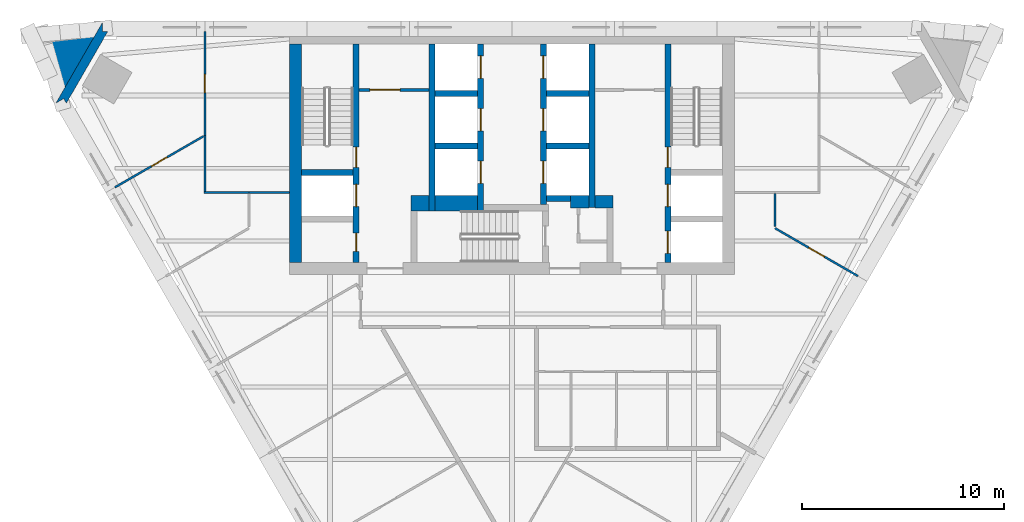
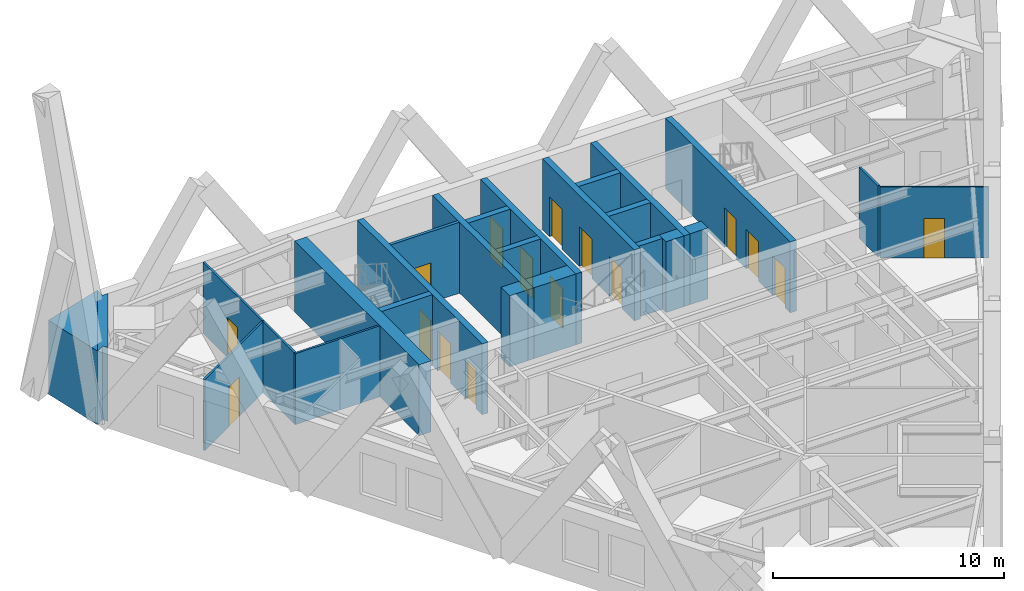
# One storey, part 5 of 8: 27 walls, 16 doors, 16 openings.
"""IFC4 building model written with IfcOpenShell, lengths in metres."""

from ifc_helpers import new_model, si_unit, direction, frame, frame_2d, origin, place, context, subcontext, project, spatial, polyline, rectangle, outline, extrude, material, layer, layer_set, type_object, element, fill, save


model = new_model("IFC4")

# Units and contexts
model_context = context("Model", 3, precision=1e-05, world=origin(), true_north=direction((0.0, 1.0)))
body_context = subcontext(model_context, "Body", "Model", "MODEL_VIEW")
ifc_project = project(units=[si_unit("LENGTHUNIT", "METRE"), si_unit("AREAUNIT", "SQUARE_METRE"), si_unit("VOLUMEUNIT", "CUBIC_METRE"), si_unit("PLANEANGLEUNIT", "RADIAN"), si_unit("MASSUNIT", "GRAM", prefix="KILO")], contexts=[model_context])

# Site, building, storey
site_placement = place(None, origin())
site = spatial("IfcSite", under=ifc_project, at=site_placement, CompositionType="ELEMENT")
building_placement = place(site_placement, origin())
building = spatial("IfcBuilding", under=site, at=building_placement, Name="Aloe Facet Convention Tower", CompositionType="ELEMENT")
storey_placement = place(building_placement, frame((0.0, 0.0, 159.800048828125)))
storey = spatial("IfcBuildingStorey", under=building, at=storey_placement, Name="L40", CompositionType="ELEMENT", Elevation=159.800048828125)

# Wall, opening, door
ifc_material_1 = material(Name="Concrete blockwork partition", Category="masonry")
ifc_layer_1 = layer(ifc_material_1, 0.14990234375)
ifc_layer_set_1 = layer_set([ifc_layer_1], Name="CR-W-PART150")
wall_type_1 = type_object("IfcWallType", Name="CR-W-PART150", PredefinedType="PARTITIONING", material=ifc_layer_set_1)
wall_1_placement = place(storey_placement, frame((72.449951171875, 131.675048828125, 0.0), z_axis=(0.0, 0.0, 1.0), x_axis=(1.0, 0.0, 0.0)))
wall_1 = element("IfcWall", 1, at=wall_1_placement, inside=storey, type_object=wall_type_1, Name="Core partition L40-007", PredefinedType="PARTITIONING", context=body_context, shape_type="SweptSolid", body=[
    extrude(rectangle(XDim=3.449951171875, YDim=0.14990234375, at=frame_2d((1.72509765625, 0.0))), origin(), (0.0, 0.0, 1.0), 3.75),
])
opening_1_placement = place(wall_1_placement, frame((0.52490234375, 0.0, 0.0)))
opening_1 = element("IfcOpeningElement", 2, at=opening_1_placement, cuts=wall_1, Name="Opening L40-CD14", PredefinedType="OPENING", context=body_context, shape_type="SweptSolid", body=[
    extrude(rectangle(XDim=1.5, YDim=2.10009765625, at=frame_2d((0.75, 1.050048828125))), frame((0.0, 0.0849609375, 0.0), z_axis=(0.0, -1.0, 0.0), x_axis=(1.0, 0.0, 0.0)), (0.0, 0.0, 1.0), 0.169921875),
])
ifc_material_2 = material(Name="Steel fire-resisting door set FD60", Category="steel")
door_type_1 = type_object("IfcDoorType", Name="CR-D-REFUGE-1500-FD60-DD", OperationType="DOUBLE_DOOR_DOUBLE_SWING", PredefinedType="DOOR", material=ifc_material_2)
door_1_placement = place(opening_1_placement, origin())
door_1 = element("IfcDoor", 3, at=door_1_placement, inside=storey, type_object=door_type_1, Name="Core door L40-CD14", OperationType="DOUBLE_DOOR_DOUBLE_SWING", OverallHeight=2.10009765625, OverallWidth=1.5, PredefinedType="DOOR", context=body_context, shape_type="SweptSolid", body=[
    extrude(rectangle(XDim=1.5, YDim=2.10009765625, at=frame_2d((0.75, 1.050048828125))), frame((0.0, 0.02490234375, 0.0), z_axis=(0.0, -1.0, 0.0), x_axis=(1.0, 0.0, 0.0)), (0.0, 0.0, 1.0), 0.050048828125),
])
fill(opening_1, door_1)

# Wall
ifc_material_3 = material(Name="Concrete C60/75", Category="concrete")
ifc_layer_2 = layer(ifc_material_3, 0.300048828125)
ifc_layer_set_2 = layer_set([ifc_layer_2], Name="CR-W-RC300-C6075")
wall_type_2 = type_object("IfcWallType", Name="CR-W-RC300-C6075", PredefinedType="SOLIDWALL", material=ifc_layer_set_2)
wall_2_placement = place(storey_placement, frame((69.60009765625, 127.60009765625, 0.0), z_axis=(0.0, 0.0, 1.0), x_axis=(1.0, 0.0, 0.0)))
element("IfcWall", 4, at=wall_2_placement, inside=storey, type_object=wall_type_2, Name="Core wall L40-004", PredefinedType="SOLIDWALL", context=body_context, shape_type="SweptSolid", body=[
    extrude(rectangle(XDim=2.5498046875, YDim=0.300048828125, at=frame_2d((1.27490234375, 0.0))), origin(), (0.0, 0.0, 1.0), 3.75),
])

# Wall, openings, doors
wall_3_placement = place(storey_placement, frame((72.300048828125, 133.949951171875, 0.0), z_axis=(0.0, 0.0, 1.0), x_axis=(0.0, -1.0, 0.0)))
wall_3 = element("IfcWall", 5, at=wall_3_placement, inside=storey, type_object=wall_type_2, Name="Core wall L40-006", PredefinedType="SOLIDWALL", context=body_context, shape_type="SweptSolid", body=[
    extrude(rectangle(XDim=10.800048828125, YDim=0.300048828125, at=frame_2d((5.39990234375, 0.0))), origin(), (0.0, 0.0, 1.0), 3.75),
])
opening_2_placement = place(wall_3_placement, frame((6.949951171875, 0.0, 0.0)))
opening_2 = element("IfcOpeningElement", 6, at=opening_2_placement, cuts=wall_3, Name="Opening LD-FF1-L40", PredefinedType="OPENING", context=body_context, shape_type="SweptSolid", body=[
    extrude(rectangle(XDim=1.10009765625, YDim=2.10009765625, at=frame_2d((0.550048828125, 1.050048828125))), frame((0.0, 0.16015625, 0.0), z_axis=(0.0, -1.0, 0.0), x_axis=(1.0, 0.0, 0.0)), (0.0, 0.0, 1.0), 0.320068359375),
])
opening_3_placement = place(wall_3_placement, frame((9.35009765625, 0.0, 0.0)))
opening_3 = element("IfcOpeningElement", 7, at=opening_3_placement, cuts=wall_3, Name="Opening L40-CD15", PredefinedType="OPENING", context=body_context, shape_type="SweptSolid", body=[
    extrude(rectangle(XDim=0.89990234375, YDim=2.10009765625, at=frame_2d((0.449951171875, 1.050048828125))), frame((0.0, 0.16015625, 0.0), z_axis=(0.0, -1.0, 0.0), x_axis=(1.0, 0.0, 0.0)), (0.0, 0.0, 1.0), 0.320068359375),
])
opening_4_placement = place(wall_3_placement, frame((5.10009765625, 0.0, 0.0)))
opening_4 = element("IfcOpeningElement", 8, at=opening_4_placement, cuts=wall_3, Name="Opening L40-CD16", PredefinedType="OPENING", context=body_context, shape_type="SweptSolid", body=[
    extrude(rectangle(XDim=1.0, YDim=2.10009765625, at=frame_2d((0.5, 1.050048828125))), frame((0.0, 0.16015625, 0.0), z_axis=(0.0, -1.0, 0.0), x_axis=(1.0, 0.0, 0.0)), (0.0, 0.0, 1.0), 0.320068359375),
])
ifc_material_4 = material(Name="Steel fire-resisting door set FD60", Category="steel")
door_type_2 = type_object("IfcDoorType", Name="CR-D-ROOM-900-FD60-SLEFT", OperationType="SINGLE_SWING_LEFT", PredefinedType="DOOR", material=ifc_material_4)
door_2_placement = place(opening_3_placement, origin())
door_2 = element("IfcDoor", 9, at=door_2_placement, inside=storey, type_object=door_type_2, Name="Core door L40-CD15", OperationType="SINGLE_SWING_LEFT", OverallHeight=2.10009765625, OverallWidth=0.89990234375, PredefinedType="DOOR", context=body_context, shape_type="SweptSolid", body=[
    extrude(rectangle(XDim=0.89990234375, YDim=2.10009765625, at=frame_2d((0.449951171875, 1.050048828125))), frame((0.0, 0.02490234375, 0.0), z_axis=(0.0, -1.0, 0.0), x_axis=(1.0, 0.0, 0.0)), (0.0, 0.0, 1.0), 0.050048828125),
])
fill(opening_3, door_2)
ifc_material_5 = material(Name="Steel fire-resisting door set FD120", Category="steel")
door_type_3 = type_object("IfcDoorType", Name="CR-D-STAIR-1000-FD120-SRIGHT", OperationType="SINGLE_SWING_RIGHT", PredefinedType="DOOR", material=ifc_material_5)
door_3_placement = place(opening_4_placement, origin())
door_3 = element("IfcDoor", 10, at=door_3_placement, inside=storey, type_object=door_type_3, Name="Core door L40-CD16", OperationType="SINGLE_SWING_RIGHT", OverallHeight=2.10009765625, OverallWidth=1.0, PredefinedType="DOOR", context=body_context, shape_type="SweptSolid", body=[
    extrude(rectangle(XDim=1.0, YDim=2.10009765625, at=frame_2d((0.5, 1.050048828125))), frame((0.0, 0.02490234375, 0.0), z_axis=(0.0, -1.0, 0.0), x_axis=(1.0, 0.0, 0.0)), (0.0, 0.0, 1.0), 0.050048828125),
])
fill(opening_4, door_3)
ifc_material_6 = material(Name="Stainless steel sliding landing door", Category="steel")
door_type_4 = type_object("IfcDoorType", Name="CR-LD-1100-FD120-_LEFT", OperationType="SLIDING_TO_LEFT", PredefinedType="DOOR", material=ifc_material_6)
door_4_placement = place(opening_2_placement, origin())
door_4 = element("IfcDoor", 11, at=door_4_placement, inside=storey, type_object=door_type_4, Name="Landing door FF1 L40", OperationType="SLIDING_TO_LEFT", OverallHeight=2.10009765625, OverallWidth=1.10009765625, PredefinedType="DOOR", context=body_context, shape_type="SweptSolid", body=[
    extrude(rectangle(XDim=1.10009765625, YDim=2.10009765625, at=frame_2d((0.550048828125, 1.050048828125))), frame((0.0, 0.02490234375, 0.0), z_axis=(0.0, -1.0, 0.0), x_axis=(1.0, 0.0, 0.0)), (0.0, 0.0, 1.0), 0.050048828125),
])
fill(opening_2, door_4)

# Walls
wall_4_placement = place(storey_placement, frame((76.050048828125, 133.949951171875, 0.0), z_axis=(0.0, 0.0, 1.0), x_axis=(0.0, -1.0, 0.0)))
element("IfcWall", 12, at=wall_4_placement, inside=storey, type_object=wall_type_2, Name="Core wall L40-010", PredefinedType="SOLIDWALL", context=body_context, shape_type="SweptSolid", body=[
    extrude(rectangle(XDim=8.25, YDim=0.300048828125, at=frame_2d((4.125, 0.0))), origin(), (0.0, 0.0, 1.0), 3.75),
])
for number, where, z_axis, x_axis, name in (
    (13, (76.199951171875, 131.5, 0.0), (0.0, 0.0, 1.0), (1.0, 0.0, 0.0), "Core wall L40-011"),
    (14, (76.199951171875, 128.89990234375, 0.0), (0.0, 0.0, 1.0), (1.0, 0.0, 0.0), "Core wall L40-012"),
):
    element("IfcWall", number, at=place(storey_placement, frame(where, z_axis=z_axis, x_axis=x_axis)), inside=storey, type_object=wall_type_2, Name=name, PredefinedType="SOLIDWALL", context=body_context, shape_type="SweptSolid", body=[
        extrude(rectangle(XDim=2.10009765625, YDim=0.300048828125, at=frame_2d((1.050048828125, 0.0))), origin(), (0.0, 0.0, 1.0), 3.75),
    ])

# Wall, openings, doors
wall_5_placement = place(storey_placement, frame((78.449951171875, 133.949951171875, 0.0), z_axis=(0.0, 0.0, 1.0), x_axis=(0.0, -1.0, 0.0)))
wall_5 = element("IfcWall", 15, at=wall_5_placement, inside=storey, type_object=wall_type_2, Name="Core wall L40-014", PredefinedType="SOLIDWALL", context=body_context, shape_type="SweptSolid", body=[
    extrude(rectangle(XDim=8.25, YDim=0.300048828125, at=frame_2d((4.125, 0.0))), origin(), (0.0, 0.0, 1.0), 3.75),
])
opening_5_placement = place(wall_5_placement, frame((0.60009765625, 0.0, 0.0)))
opening_5 = element("IfcOpeningElement", 16, at=opening_5_placement, cuts=wall_5, Name="Opening LD-B1-L40", PredefinedType="OPENING", context=body_context, shape_type="SweptSolid", body=[
    extrude(rectangle(XDim=1.10009765625, YDim=2.10009765625, at=frame_2d((0.550048828125, 1.050048828125))), frame((0.0, 0.16015625, 0.0), z_axis=(0.0, -1.0, 0.0), x_axis=(1.0, 0.0, 0.0)), (0.0, 0.0, 1.0), 0.320068359375),
])
opening_6_placement = place(wall_5_placement, frame((3.199951171875, 0.0, 0.0)))
opening_6 = element("IfcOpeningElement", 17, at=opening_6_placement, cuts=wall_5, Name="Opening LD-B2-L40", PredefinedType="OPENING", context=body_context, shape_type="SweptSolid", body=[
    extrude(rectangle(XDim=1.10009765625, YDim=2.10009765625, at=frame_2d((0.550048828125, 1.050048828125))), frame((0.0, 0.16015625, 0.0), z_axis=(0.0, -1.0, 0.0), x_axis=(1.0, 0.0, 0.0)), (0.0, 0.0, 1.0), 0.320068359375),
])
opening_7_placement = place(wall_5_placement, frame((5.800048828125, 0.0, 0.0)))
opening_7 = element("IfcOpeningElement", 18, at=opening_7_placement, cuts=wall_5, Name="Opening LD-B3-L40", PredefinedType="OPENING", context=body_context, shape_type="SweptSolid", body=[
    extrude(rectangle(XDim=1.10009765625, YDim=2.10009765625, at=frame_2d((0.550048828125, 1.050048828125))), frame((0.0, 0.16015625, 0.0), z_axis=(0.0, -1.0, 0.0), x_axis=(1.0, 0.0, 0.0)), (0.0, 0.0, 1.0), 0.320068359375),
])
ifc_material_7 = material(Name="Stainless steel sliding landing door", Category="steel")
door_type_5 = type_object("IfcDoorType", Name="CR-LD-1100-FD60-RIGHT", OperationType="SLIDING_TO_RIGHT", PredefinedType="DOOR", material=ifc_material_7)
door_5_placement = place(opening_5_placement, origin())
door_5 = element("IfcDoor", 19, at=door_5_placement, inside=storey, type_object=door_type_5, Name="Landing door B1 L40", OperationType="SLIDING_TO_RIGHT", OverallHeight=2.10009765625, OverallWidth=1.10009765625, PredefinedType="DOOR", context=body_context, shape_type="SweptSolid", body=[
    extrude(rectangle(XDim=1.10009765625, YDim=2.10009765625, at=frame_2d((0.550048828125, 1.050048828125))), frame((0.0, 0.02490234375, 0.0), z_axis=(0.0, -1.0, 0.0), x_axis=(1.0, 0.0, 0.0)), (0.0, 0.0, 1.0), 0.050048828125),
])
fill(opening_5, door_5)
door_6_placement = place(opening_6_placement, origin())
door_6 = element("IfcDoor", 20, at=door_6_placement, inside=storey, type_object=door_type_5, Name="Landing door B2 L40", OperationType="SLIDING_TO_RIGHT", OverallHeight=2.10009765625, OverallWidth=1.10009765625, PredefinedType="DOOR", context=body_context, shape_type="SweptSolid", body=[
    extrude(rectangle(XDim=1.10009765625, YDim=2.10009765625, at=frame_2d((0.550048828125, 1.050048828125))), frame((0.0, 0.02490234375, 0.0), z_axis=(0.0, -1.0, 0.0), x_axis=(1.0, 0.0, 0.0)), (0.0, 0.0, 1.0), 0.050048828125),
])
fill(opening_6, door_6)
door_7_placement = place(opening_7_placement, origin())
door_7 = element("IfcDoor", 21, at=door_7_placement, inside=storey, type_object=door_type_5, Name="Landing door B3 L40", OperationType="SLIDING_TO_RIGHT", OverallHeight=2.10009765625, OverallWidth=1.10009765625, PredefinedType="DOOR", context=body_context, shape_type="SweptSolid", body=[
    extrude(rectangle(XDim=1.10009765625, YDim=2.10009765625, at=frame_2d((0.550048828125, 1.050048828125))), frame((0.0, 0.02490234375, 0.0), z_axis=(0.0, -1.0, 0.0), x_axis=(1.0, 0.0, 0.0)), (0.0, 0.0, 1.0), 0.050048828125),
])
fill(opening_7, door_7)

wall_6_placement = place(storey_placement, frame((81.550048828125, 133.949951171875, 0.0), z_axis=(0.0, 0.0, 1.0), x_axis=(0.0, -1.0, 0.0)))
wall_6 = element("IfcWall", 22, at=wall_6_placement, inside=storey, type_object=wall_type_2, Name="Core wall L40-016", PredefinedType="SOLIDWALL", context=body_context, shape_type="SweptSolid", body=[
    extrude(rectangle(XDim=7.949951171875, YDim=0.300048828125, at=frame_2d((3.97509765625, 0.0))), origin(), (0.0, 0.0, 1.0), 3.75),
])
opening_8_placement = place(wall_6_placement, frame((0.60009765625, 0.0, 0.0)))
opening_8 = element("IfcOpeningElement", 23, at=opening_8_placement, cuts=wall_6, Name="Opening LD-B4-L40", PredefinedType="OPENING", context=body_context, shape_type="SweptSolid", body=[
    extrude(rectangle(XDim=1.10009765625, YDim=2.10009765625, at=frame_2d((0.550048828125, 1.050048828125))), frame((0.0, 0.16015625, 0.0), z_axis=(0.0, -1.0, 0.0), x_axis=(1.0, 0.0, 0.0)), (0.0, 0.0, 1.0), 0.320068359375),
])
opening_9_placement = place(wall_6_placement, frame((3.199951171875, 0.0, 0.0)))
opening_9 = element("IfcOpeningElement", 24, at=opening_9_placement, cuts=wall_6, Name="Opening LD-B5-L40", PredefinedType="OPENING", context=body_context, shape_type="SweptSolid", body=[
    extrude(rectangle(XDim=1.10009765625, YDim=2.10009765625, at=frame_2d((0.550048828125, 1.050048828125))), frame((0.0, 0.16015625, 0.0), z_axis=(0.0, -1.0, 0.0), x_axis=(1.0, 0.0, 0.0)), (0.0, 0.0, 1.0), 0.320068359375),
])
opening_10_placement = place(wall_6_placement, frame((5.800048828125, 0.0, 0.0)))
opening_10 = element("IfcOpeningElement", 25, at=opening_10_placement, cuts=wall_6, Name="Opening LD-B6-L40", PredefinedType="OPENING", context=body_context, shape_type="SweptSolid", body=[
    extrude(rectangle(XDim=1.10009765625, YDim=2.10009765625, at=frame_2d((0.550048828125, 1.050048828125))), frame((0.0, 0.16015625, 0.0), z_axis=(0.0, -1.0, 0.0), x_axis=(1.0, 0.0, 0.0)), (0.0, 0.0, 1.0), 0.320068359375),
])
ifc_material_8 = material(Name="Stainless steel sliding landing door", Category="steel")
door_type_6 = type_object("IfcDoorType", Name="CR-LD-1100-FD60-_LEFT", OperationType="SLIDING_TO_LEFT", PredefinedType="DOOR", material=ifc_material_8)
door_8_placement = place(opening_8_placement, origin())
door_8 = element("IfcDoor", 26, at=door_8_placement, inside=storey, type_object=door_type_6, Name="Landing door B4 L40", OperationType="SLIDING_TO_LEFT", OverallHeight=2.10009765625, OverallWidth=1.10009765625, PredefinedType="DOOR", context=body_context, shape_type="SweptSolid", body=[
    extrude(rectangle(XDim=1.10009765625, YDim=2.10009765625, at=frame_2d((0.550048828125, 1.050048828125))), frame((0.0, 0.02490234375, 0.0), z_axis=(0.0, -1.0, 0.0), x_axis=(1.0, 0.0, 0.0)), (0.0, 0.0, 1.0), 0.050048828125),
])
fill(opening_8, door_8)
door_9_placement = place(opening_9_placement, origin())
door_9 = element("IfcDoor", 27, at=door_9_placement, inside=storey, type_object=door_type_6, Name="Landing door B5 L40", OperationType="SLIDING_TO_LEFT", OverallHeight=2.10009765625, OverallWidth=1.10009765625, PredefinedType="DOOR", context=body_context, shape_type="SweptSolid", body=[
    extrude(rectangle(XDim=1.10009765625, YDim=2.10009765625, at=frame_2d((0.550048828125, 1.050048828125))), frame((0.0, 0.02490234375, 0.0), z_axis=(0.0, -1.0, 0.0), x_axis=(1.0, 0.0, 0.0)), (0.0, 0.0, 1.0), 0.050048828125),
])
fill(opening_9, door_9)
door_10_placement = place(opening_10_placement, origin())
door_10 = element("IfcDoor", 28, at=door_10_placement, inside=storey, type_object=door_type_6, Name="Landing door B6 L40", OperationType="SLIDING_TO_LEFT", OverallHeight=2.10009765625, OverallWidth=1.10009765625, PredefinedType="DOOR", context=body_context, shape_type="SweptSolid", body=[
    extrude(rectangle(XDim=1.10009765625, YDim=2.10009765625, at=frame_2d((0.550048828125, 1.050048828125))), frame((0.0, 0.02490234375, 0.0), z_axis=(0.0, -1.0, 0.0), x_axis=(1.0, 0.0, 0.0)), (0.0, 0.0, 1.0), 0.050048828125),
])
fill(opening_10, door_10)

# Walls
for number, where, z_axis, x_axis, name in (
    (29, (81.699951171875, 131.5, 0.0), (0.0, 0.0, 1.0), (1.0, 0.0, 0.0), "Core wall L40-018"),
    (30, (81.699951171875, 128.89990234375, 0.0), (0.0, 0.0, 1.0), (1.0, 0.0, 0.0), "Core wall L40-019"),
):
    element("IfcWall", number, at=place(storey_placement, frame(where, z_axis=z_axis, x_axis=x_axis)), inside=storey, type_object=wall_type_2, Name=name, PredefinedType="SOLIDWALL", context=body_context, shape_type="SweptSolid", body=[
        extrude(rectangle(XDim=2.10009765625, YDim=0.300048828125, at=frame_2d((1.050048828125, 0.0))), origin(), (0.0, 0.0, 1.0), 3.75),
    ])
wall_7_placement = place(storey_placement, frame((81.699951171875, 126.300048828125, 0.0), z_axis=(0.0, 0.0, 1.0), x_axis=(1.0, 0.0, 0.0)))
element("IfcWall", 31, at=wall_7_placement, inside=storey, type_object=wall_type_2, Name="Core wall L40-020", PredefinedType="SOLIDWALL", context=body_context, shape_type="SweptSolid", body=[
    extrude(rectangle(XDim=1.199951171875, YDim=0.300048828125, at=frame_2d((0.60009765625, 0.0))), origin(), (0.0, 0.0, 1.0), 3.75),
])
wall_8_placement = place(storey_placement, frame((83.949951171875, 133.949951171875, 0.0), z_axis=(0.0, 0.0, 1.0), x_axis=(0.0, -1.0, 0.0)))
element("IfcWall", 32, at=wall_8_placement, inside=storey, type_object=wall_type_2, Name="Core wall L40-024", PredefinedType="SOLIDWALL", context=body_context, shape_type="SweptSolid", body=[
    extrude(rectangle(XDim=8.099853515625, YDim=0.300048828125, at=frame_2d((4.0498046875, 0.0))), origin(), (0.0, 0.0, 1.0), 3.75),
])

# Wall, openings, doors
wall_9_placement = place(storey_placement, frame((87.699951171875, 133.949951171875, 0.0), z_axis=(0.0, 0.0, 1.0), x_axis=(0.0, -1.0, 0.0)))
wall_9 = element("IfcWall", 33, at=wall_9_placement, inside=storey, type_object=wall_type_2, Name="Core wall L40-028", PredefinedType="SOLIDWALL", context=body_context, shape_type="SweptSolid", body=[
    extrude(rectangle(XDim=10.800048828125, YDim=0.300048828125, at=frame_2d((5.39990234375, 0.0))), origin(), (0.0, 0.0, 1.0), 3.75),
])
opening_11_placement = place(wall_9_placement, frame((6.949951171875, 0.0, 0.0)))
opening_11 = element("IfcOpeningElement", 34, at=opening_11_placement, cuts=wall_9, Name="Opening LD-FF2-L40", PredefinedType="OPENING", context=body_context, shape_type="SweptSolid", body=[
    extrude(rectangle(XDim=1.10009765625, YDim=2.10009765625, at=frame_2d((0.550048828125, 1.050048828125))), frame((0.0, 0.16015625, 0.0), z_axis=(0.0, -1.0, 0.0), x_axis=(1.0, 0.0, 0.0)), (0.0, 0.0, 1.0), 0.320068359375),
])
opening_12_placement = place(wall_9_placement, frame((5.10009765625, 0.0, 0.0)))
opening_12 = element("IfcOpeningElement", 35, at=opening_12_placement, cuts=wall_9, Name="Opening L40-CD17", PredefinedType="OPENING", context=body_context, shape_type="SweptSolid", body=[
    extrude(rectangle(XDim=1.0, YDim=2.10009765625, at=frame_2d((0.5, 1.050048828125))), frame((0.0, 0.16015625, 0.0), z_axis=(0.0, -1.0, 0.0), x_axis=(1.0, 0.0, 0.0)), (0.0, 0.0, 1.0), 0.320068359375),
])
opening_13_placement = place(wall_9_placement, frame((9.25, 0.0, 0.0)))
opening_13 = element("IfcOpeningElement", 36, at=opening_13_placement, cuts=wall_9, Name="Opening LD-SV1-L40", PredefinedType="OPENING", context=body_context, shape_type="SweptSolid", body=[
    extrude(rectangle(XDim=1.10009765625, YDim=2.10009765625, at=frame_2d((0.550048828125, 1.050048828125))), frame((0.0, 0.16015625, 0.0), z_axis=(0.0, -1.0, 0.0), x_axis=(1.0, 0.0, 0.0)), (0.0, 0.0, 1.0), 0.320068359375),
])
ifc_material_9 = material(Name="Steel fire-resisting door set FD120", Category="steel")
door_type_7 = type_object("IfcDoorType", Name="CR-D-STAIR-1000-FD120-SLEFT", OperationType="SINGLE_SWING_LEFT", PredefinedType="DOOR", material=ifc_material_9)
door_11_placement = place(opening_12_placement, origin())
door_11 = element("IfcDoor", 37, at=door_11_placement, inside=storey, type_object=door_type_7, Name="Core door L40-CD17", OperationType="SINGLE_SWING_LEFT", OverallHeight=2.10009765625, OverallWidth=1.0, PredefinedType="DOOR", context=body_context, shape_type="SweptSolid", body=[
    extrude(rectangle(XDim=1.0, YDim=2.10009765625, at=frame_2d((0.5, 1.050048828125))), frame((0.0, 0.02490234375, 0.0), z_axis=(0.0, -1.0, 0.0), x_axis=(1.0, 0.0, 0.0)), (0.0, 0.0, 1.0), 0.050048828125),
])
fill(opening_12, door_11)
door_12_placement = place(opening_11_placement, origin())
door_12 = element("IfcDoor", 38, at=door_12_placement, inside=storey, type_object=door_type_4, Name="Landing door FF2 L40", OperationType="SLIDING_TO_LEFT", OverallHeight=2.10009765625, OverallWidth=1.10009765625, PredefinedType="DOOR", context=body_context, shape_type="SweptSolid", body=[
    extrude(rectangle(XDim=1.10009765625, YDim=2.10009765625, at=frame_2d((0.550048828125, 1.050048828125))), frame((0.0, 0.02490234375, 0.0), z_axis=(0.0, -1.0, 0.0), x_axis=(1.0, 0.0, 0.0)), (0.0, 0.0, 1.0), 0.050048828125),
])
fill(opening_11, door_12)
door_13_placement = place(opening_13_placement, origin())
door_13 = element("IfcDoor", 39, at=door_13_placement, inside=storey, type_object=door_type_4, Name="Landing door SV1 L40", OperationType="SLIDING_TO_LEFT", OverallHeight=2.10009765625, OverallWidth=1.10009765625, PredefinedType="DOOR", context=body_context, shape_type="SweptSolid", body=[
    extrude(rectangle(XDim=1.10009765625, YDim=2.10009765625, at=frame_2d((0.550048828125, 1.050048828125))), frame((0.0, 0.02490234375, 0.0), z_axis=(0.0, -1.0, 0.0), x_axis=(1.0, 0.0, 0.0)), (0.0, 0.0, 1.0), 0.050048828125),
])
fill(opening_13, door_13)

# Walls
ifc_material_10 = material(Name="Concrete C60/75", Category="concrete")
ifc_layer_3 = layer(ifc_material_10, 0.60009765625)
ifc_layer_set_3 = layer_set([ifc_layer_3], Name="CR-W-RC600-C6075")
wall_type_3 = type_object("IfcWallType", Name="CR-W-RC600-C6075", PredefinedType="SOLIDWALL", material=ifc_layer_set_3)
wall_10_placement = place(storey_placement, frame((69.300048828125, 133.949951171875, 0.0), z_axis=(0.0, 0.0, 1.0), x_axis=(0.0, -1.0, 0.0)))
element("IfcWall", 40, at=wall_10_placement, inside=storey, type_object=wall_type_3, Name="Core wall L40-002", PredefinedType="SOLIDWALL", context=body_context, shape_type="SweptSolid", body=[
    extrude(rectangle(XDim=10.800048828125, YDim=0.60009765625, at=frame_2d((5.39990234375, 0.0))), origin(), (0.0, 0.0, 1.0), 3.75),
])
wall_11_placement = place(storey_placement, frame((82.89990234375, 126.14990234375, 0.0), z_axis=(0.0, 0.0, 1.0), x_axis=(1.0, 0.0, 0.0)))
element("IfcWall", 41, at=wall_11_placement, inside=storey, type_object=wall_type_3, Name="Core wall L40-021", PredefinedType="SOLIDWALL", context=body_context, shape_type="SweptSolid", body=[
    extrude(rectangle(XDim=0.900146484375, YDim=0.60009765625, at=frame_2d((0.4501953125, 0.0))), origin(), (0.0, 0.0, 1.0), 3.75),
])
wall_12_placement = place(storey_placement, frame((84.10009765625, 126.14990234375, 0.0), z_axis=(0.0, 0.0, 1.0), x_axis=(1.0, 0.0, 0.0)))
element("IfcWall", 42, at=wall_12_placement, inside=storey, type_object=wall_type_3, Name="Core wall L40-026", PredefinedType="SOLIDWALL", context=body_context, shape_type="SweptSolid", body=[
    extrude(rectangle(XDim=0.89990234375, YDim=0.60009765625, at=frame_2d((0.449951171875, 0.0))), origin(), (0.0, 0.0, 1.0), 3.75),
])
ifc_material_11 = material(Name="Concrete C60/75", Category="concrete")
ifc_layer_4 = layer(ifc_material_11, 0.75)
ifc_layer_set_4 = layer_set([ifc_layer_4], Name="CR-W-RC750-C6075")
wall_type_4 = type_object("IfcWallType", Name="CR-W-RC750-C6075", PredefinedType="SOLIDWALL", material=ifc_layer_set_4)
wall_13_placement = place(storey_placement, frame((75.0, 126.074951171875, 0.0), z_axis=(0.0, 0.0, 1.0), x_axis=(1.0, 0.0, 0.0)))
element("IfcWall", 43, at=wall_13_placement, inside=storey, type_object=wall_type_4, Name="Core wall L40-008", PredefinedType="SOLIDWALL", context=body_context, shape_type="SweptSolid", body=[
    extrude(rectangle(XDim=0.89990234375, YDim=0.75, at=frame_2d((0.449951171875, 0.0))), origin(), (0.0, 0.0, 1.0), 3.75),
])
wall_14_placement = place(storey_placement, frame((76.199951171875, 126.074951171875, 0.0), z_axis=(0.0, 0.0, 1.0), x_axis=(1.0, 0.0, 0.0)))
element("IfcWall", 44, at=wall_14_placement, inside=storey, type_object=wall_type_4, Name="Core wall L40-013", PredefinedType="SOLIDWALL", context=body_context, shape_type="SweptSolid", body=[
    extrude(rectangle(XDim=2.10009765625, YDim=0.75, at=frame_2d((1.050048828125, 0.0))), origin(), (0.0, 0.0, 1.0), 3.75),
])
ifc_material_12 = material(Name="Precast concrete C40/50", Category="concrete")
ifc_layer_5 = layer(ifc_material_12, 0.449951171875)
ifc_layer_set_5 = layer_set([ifc_layer_5], Name="EV-WALL-PIER")
wall_type_5 = type_object("IfcWallType", Name="EV-WALL-PIER", PredefinedType="SOLIDWALL", material=ifc_layer_set_5)
wall_15_placement = place(storey_placement, frame((0.0, 0.0, -0.150146484375)))
element("IfcWall", 45, at=wall_15_placement, inside=storey, type_object=wall_type_5, Name="EP-L40-A", PredefinedType="SOLIDWALL", context=body_context, shape_type="SweptSolid", body=[
    extrude(outline(polyline([(59.7568359375, 135.0), (59.7568359375, 134.550048828125), (60.016845703125, 134.550048828125), (57.9765625, 131.016357421875), (57.8466796875, 131.2412109375), (57.45703125, 131.016357421875), (59.7568359375, 135.0)])), origin(), (0.0, 0.0, 1.0), 3.900146484375),
])
ifc_material_13 = material(Name="Precast concrete C40/50", Category="concrete")
ifc_layer_6 = layer(ifc_material_13, 3.947998046875)
ifc_layer_set_6 = layer_set([ifc_layer_6], Name="EV-WALL-SPINE")
wall_type_6 = type_object("IfcWallType", Name="EV-WALL-SPINE", PredefinedType="SOLIDWALL", material=ifc_layer_set_6)
wall_16_placement = place(storey_placement, frame((0.0, 0.0, -0.150146484375)))
element("IfcWall", 46, at=wall_16_placement, inside=storey, type_object=wall_type_6, Name="SP-NW-L40", PredefinedType="SOLIDWALL", context=body_context, shape_type="SweptSolid", body=[
    extrude(outline(polyline([(59.7568359375, 135.0), (56.775634765625, 134.09423828125), (57.45703125, 131.016357421875), (59.7568359375, 135.0)])), origin(), (0.0, 0.0, 1.0), 3.900146484375),
])

# Wall, opening, door
ifc_material_14 = material(Name="Gypsum board partition on steel studs", Category="steel")
ifc_layer_7 = layer(ifc_material_14, 0.10009765625)
ifc_layer_set_7 = layer_set([ifc_layer_7], Name="IN-W-PART")
wall_type_7 = type_object("IfcWallType", Name="IN-W-PART", PredefinedType="PARTITIONING", material=ifc_layer_set_7)
wall_17_placement = place(storey_placement, frame((93.0, 124.838623046875, 0.0), z_axis=(0.0, 0.0, 1.0), x_axis=(0.866028145587, -0.499995251029, 0.0)))
wall_17 = element("IfcWall", 47, at=wall_17_placement, inside=storey, type_object=wall_type_7, Name="Partition L40-W040", PredefinedType="PARTITIONING", context=body_context, shape_type="SweptSolid", body=[
    extrude(rectangle(XDim=4.7255859375, YDim=0.10009765625, at=frame_2d((2.36279296875, 0.0))), origin(), (0.0, 0.0, 1.0), 3.75),
])
opening_14_placement = place(wall_17_placement, frame((1.912841796875, 0.0, 0.0)))
opening_14 = element("IfcOpeningElement", 48, at=opening_14_placement, cuts=wall_17, Name="Opening L40-016", PredefinedType="OPENING", context=body_context, shape_type="SweptSolid", body=[
    extrude(rectangle(XDim=0.89990234375, YDim=2.10009765625, at=frame_2d((0.449951171875, 1.050048828125))), frame((0.0, 0.06005859375, 0.0), z_axis=(0.0, -1.0, 0.0), x_axis=(1.0, 0.0, 0.0)), (0.0, 0.0, 1.0), 0.1201171875),
])
ifc_material_15 = material(Name="Timber door", Category="wood")
door_type_8 = type_object("IfcDoorType", Name="IN-OFF-D-ROOM", OperationType="SINGLE_SWING_LEFT", PredefinedType="DOOR", material=ifc_material_15)
door_14_placement = place(opening_14_placement, origin())
door_14 = element("IfcDoor", 49, at=door_14_placement, inside=storey, type_object=door_type_8, Name="Door L40-016", OperationType="SINGLE_SWING_LEFT", OverallHeight=2.10009765625, OverallWidth=0.89990234375, PredefinedType="DOOR", context=body_context, shape_type="SweptSolid", body=[
    extrude(rectangle(XDim=0.89990234375, YDim=2.10009765625, at=frame_2d((0.449951171875, 1.050048828125))), frame((0.0, 0.02490234375, 0.0), z_axis=(0.0, -1.0, 0.0), x_axis=(1.0, 0.0, 0.0)), (0.0, 0.0, 1.0), 0.050048828125),
])
fill(opening_14, door_14)

# Walls
wall_18_placement = place(storey_placement, frame((93.0, 124.92529296875, 0.0), z_axis=(0.0, 0.0, 1.0), x_axis=(0.0, 1.0, 0.0)))
element("IfcWall", 50, at=wall_18_placement, inside=storey, type_object=wall_type_7, Name="Partition L40-W042", PredefinedType="PARTITIONING", context=body_context, shape_type="SweptSolid", body=[
    extrude(rectangle(XDim=1.624755859375, YDim=0.10009765625, at=frame_2d((0.8125, 0.0))), origin(), (0.0, 0.0, 1.0), 3.75),
])
wall_19_placement = place(storey_placement, frame((64.767578125, 126.60009765625, 0.0), z_axis=(0.0, 0.0, 1.0), x_axis=(1.0, 0.0, 0.0)))
element("IfcWall", 51, at=wall_19_placement, inside=storey, type_object=wall_type_7, Name="Partition L40-W044", PredefinedType="PARTITIONING", context=body_context, shape_type="SweptSolid", body=[
    extrude(rectangle(XDim=2.2353515625, YDim=0.10009765625, at=frame_2d((1.11767578125, 0.0))), origin(), (0.0, 0.0, 1.0), 3.75),
])
wall_20_placement = place(storey_placement, frame((67.0029296875, 126.60009765625, 0.0), z_axis=(0.0, 0.0, 1.0), x_axis=(1.0, 0.0, 0.0)))
element("IfcWall", 52, at=wall_20_placement, inside=storey, type_object=wall_type_7, Name="Partition L40-W045", PredefinedType="PARTITIONING", context=body_context, shape_type="SweptSolid", body=[
    extrude(rectangle(XDim=1.9970703125, YDim=0.10009765625, at=frame_2d((0.99853515625, 0.0))), origin(), (0.0, 0.0, 1.0), 3.75),
])
wall_21_placement = place(storey_placement, frame((64.817626953125, 126.64990234375, 0.0), z_axis=(0.0, 0.0, 1.0), x_axis=(0.0, 1.0, 0.0)))
element("IfcWall", 53, at=wall_21_placement, inside=storey, type_object=wall_type_7, Name="Partition L40-W050", PredefinedType="PARTITIONING", context=body_context, shape_type="SweptSolid", body=[
    extrude(rectangle(XDim=2.7724609375, YDim=0.10009765625, at=frame_2d((1.38623046875, 0.0))), origin(), (0.0, 0.0, 1.0), 3.75),
])

# Wall, opening, door
wall_22_placement = place(storey_placement, frame((60.376953125, 126.858642578125, 0.0), z_axis=(0.0, 0.0, 1.0), x_axis=(0.866030444867, 0.499991268487, 0.0)))
wall_22 = element("IfcWall", 54, at=wall_22_placement, inside=storey, type_object=wall_type_7, Name="Partition L40-W051", PredefinedType="PARTITIONING", context=body_context, shape_type="SweptSolid", body=[
    extrude(rectangle(XDim=5.0576171875, YDim=0.10009765625, at=frame_2d((2.52880859375, 0.0))), origin(), (0.0, 0.0, 1.0), 3.75),
])
opening_15_placement = place(wall_22_placement, frame((2.078857421875, 0.0, 0.0)))
opening_15 = element("IfcOpeningElement", 55, at=opening_15_placement, cuts=wall_22, Name="Opening L40-018", PredefinedType="OPENING", context=body_context, shape_type="SweptSolid", body=[
    extrude(rectangle(XDim=0.89990234375, YDim=2.10009765625, at=frame_2d((0.449951171875, 1.050048828125))), frame((0.0, 0.06005859375, 0.0), z_axis=(0.0, -1.0, 0.0), x_axis=(1.0, 0.0, 0.0)), (0.0, 0.0, 1.0), 0.1201171875),
])
door_15_placement = place(opening_15_placement, origin())
door_15 = element("IfcDoor", 56, at=door_15_placement, inside=storey, type_object=door_type_8, Name="Door L40-018", OperationType="SINGLE_SWING_LEFT", OverallHeight=2.10009765625, OverallWidth=0.89990234375, PredefinedType="DOOR", context=body_context, shape_type="SweptSolid", body=[
    extrude(rectangle(XDim=0.89990234375, YDim=2.10009765625, at=frame_2d((0.449951171875, 1.050048828125))), frame((0.0, 0.02490234375, 0.0), z_axis=(0.0, -1.0, 0.0), x_axis=(1.0, 0.0, 0.0)), (0.0, 0.0, 1.0), 0.050048828125),
])
fill(opening_15, door_15)

wall_23_placement = place(storey_placement, frame((64.817626953125, 129.42236328125, 0.0), z_axis=(0.0, 0.0, 1.0), x_axis=(0.0, 1.0, 0.0)))
wall_23 = element("IfcWall", 57, at=wall_23_placement, inside=storey, type_object=wall_type_7, Name="Partition L40-W053", PredefinedType="PARTITIONING", context=body_context, shape_type="SweptSolid", body=[
    extrude(rectangle(XDim=5.127685546875, YDim=0.10009765625, at=frame_2d((2.56396484375, 0.0))), origin(), (0.0, 0.0, 1.0), 3.75),
])
opening_16_placement = place(wall_23_placement, frame((2.11376953125, 0.0, 0.0)))
opening_16 = element("IfcOpeningElement", 58, at=opening_16_placement, cuts=wall_23, Name="Opening L40-007", PredefinedType="OPENING", context=body_context, shape_type="SweptSolid", body=[
    extrude(rectangle(XDim=0.89990234375, YDim=2.10009765625, at=frame_2d((0.449951171875, 1.050048828125))), frame((0.0, 0.06005859375, 0.0), z_axis=(0.0, -1.0, 0.0), x_axis=(1.0, 0.0, 0.0)), (0.0, 0.0, 1.0), 0.1201171875),
])
door_16_placement = place(opening_16_placement, origin())
door_16 = element("IfcDoor", 59, at=door_16_placement, inside=storey, type_object=door_type_8, Name="Door L40-007", OperationType="SINGLE_SWING_LEFT", OverallHeight=2.10009765625, OverallWidth=0.89990234375, PredefinedType="DOOR", context=body_context, shape_type="SweptSolid", body=[
    extrude(rectangle(XDim=0.89990234375, YDim=2.10009765625, at=frame_2d((0.449951171875, 1.050048828125))), frame((0.0, 0.02490234375, 0.0), z_axis=(0.0, -1.0, 0.0), x_axis=(1.0, 0.0, 0.0)), (0.0, 0.0, 1.0), 0.050048828125),
])
fill(opening_16, door_16)

save(model, "model.ifc")
